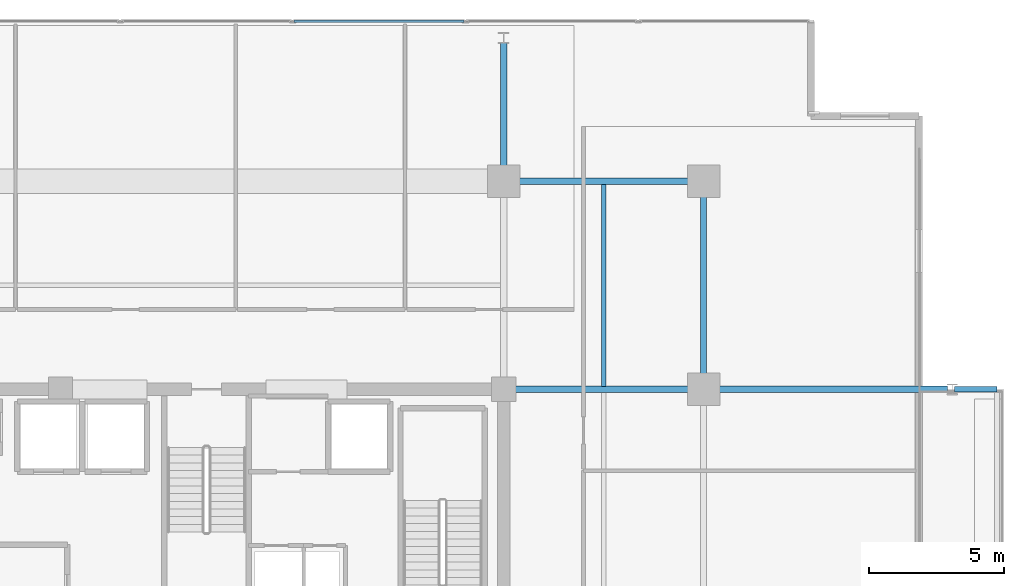
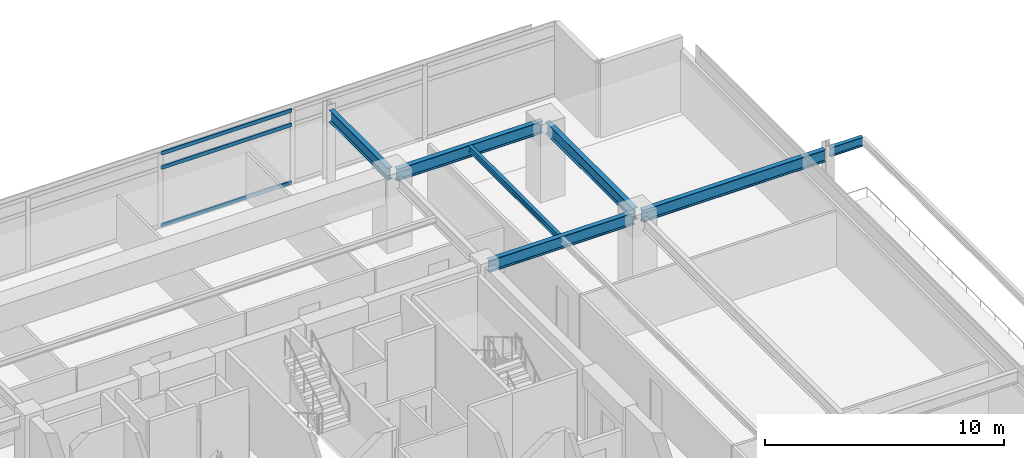
# One storey, part 11 of 24: 7 beams, 3 members, 1 element without a shape of its own.
"""IFC4 building model written with IfcOpenShell, lengths in metres."""

import ifcopenshell
import ifcopenshell.guid

model = None  # the IFC model being written
_history = None  # IfcOwnerHistory: only IFC2X3 demands one
_inside = {}  # id of a spatial element -> (the spatial element, [elements in it])
_under = {}  # id of a project, library or spatial element -> (it, [spatial elements below it])
_declared = {}  # id of a project -> (the project, [libraries it declares])
_typed = {}  # id of a type object -> (the type object, [elements of that type])
_made_of = {}  # id of a material, layer set ... -> (it, [elements and type objects made of it])


def new_model(schema):
    """Start an empty IFC model of exactly this schema.

    Asked for "IFC4X3", IfcOpenShell would pick the latest addendum, in which some entities
    have other attributes; the version numbers below select the first issue.
    IFC2X3 requires an IfcOwnerHistory on every rooted entity: one is made here for all.
    """
    global model, _history
    if schema == "IFC4X3":
        model = ifcopenshell.file(schema_version=(4, 3, 0, 0))
    else:
        model = ifcopenshell.file(schema=schema)
    _inside.clear()
    _under.clear()
    _declared.clear()
    _typed.clear()
    _made_of.clear()
    _history = None
    if model.schema == "IFC2X3":
        org = make("IfcOrganization", Name="unknown")
        user = make(
            "IfcPersonAndOrganization",
            ThePerson=make("IfcPerson", FamilyName="unknown"),
            TheOrganization=org,
        )
        app = make(
            "IfcApplication",
            ApplicationDeveloper=org,
            Version="unknown",
            ApplicationFullName="unknown",
            ApplicationIdentifier="unknown",
        )
        _history = make(
            "IfcOwnerHistory",
            OwningUser=user,
            OwningApplication=app,
            ChangeAction="ADDED",
            CreationDate=0,
        )
    return model


def make(cls, **values):
    """One entity of the class cls with the attributes given. An attribute that is None is left unset."""
    return model.create_entity(
        cls, **{name: value for name, value in values.items() if value is not None}
    )


def rooted(cls, **values):
    """An entity with a GlobalId (a new one), such as an element, a storey or a relation."""
    return make(cls, GlobalId=ifcopenshell.guid.new(), OwnerHistory=_history, **values)


def si_unit(unit_type, name, prefix=None):
    """IfcSIUnit, for example si_unit("LENGTHUNIT", "METRE", prefix="MILLI")."""
    return make("IfcSIUnit", UnitType=unit_type, Prefix=prefix, Name=name)


def assignment(units):
    """IfcUnitAssignment: the units of a project."""
    return None if units is None else make("IfcUnitAssignment", Units=units)


def point(xyz):
    """IfcCartesianPoint."""
    return None if xyz is None else make("IfcCartesianPoint", Coordinates=xyz)


def direction(xyz):
    """IfcDirection."""
    return None if xyz is None else make("IfcDirection", DirectionRatios=xyz)


def frame(location, z_axis=None, x_axis=None):
    """IfcAxis2Placement3D, a coordinate frame: its origin and axes. An axis left out is left unset."""
    return make(
        "IfcAxis2Placement3D",
        Location=point(location),
        Axis=direction(z_axis),
        RefDirection=direction(x_axis),
    )


def frame_2d(location, x_axis=None):
    """IfcAxis2Placement2D, a coordinate frame in the plane: its origin and x axis."""
    return make(
        "IfcAxis2Placement2D", Location=point(location), RefDirection=direction(x_axis)
    )


def origin():
    """The frame at (0, 0, 0) with its axes left unset."""
    return frame((0.0, 0.0, 0.0))


def origin_2d():
    """The frame at (0, 0) in the plane with its x axis left unset."""
    return frame_2d((0.0, 0.0))


def place(relative_to, where):
    """IfcLocalPlacement: puts the frame where relative to a parent placement (None: the world)."""
    return make(
        "IfcLocalPlacement", PlacementRelTo=relative_to, RelativePlacement=where
    )


def context(
    kind, dimensions, precision=None, world=None, true_north=None, identifier=None
):
    """IfcGeometricRepresentationContext, for example the 3D "Model" context."""
    return make(
        "IfcGeometricRepresentationContext",
        ContextIdentifier=identifier,
        ContextType=kind,
        CoordinateSpaceDimension=dimensions,
        Precision=precision,
        WorldCoordinateSystem=world,
        TrueNorth=true_north,
    )


def subcontext(parent, identifier, kind, view, scale=None):
    """IfcGeometricRepresentationSubContext, for example "Body" below "Model"."""
    return make(
        "IfcGeometricRepresentationSubContext",
        ContextIdentifier=identifier,
        ContextType=kind,
        ParentContext=parent,
        TargetScale=scale,
        TargetView=view,
    )


def project(units=None, contexts=None):
    """IfcProject with its units and contexts."""
    return rooted(
        "IfcProject",
        Name="project",
        RepresentationContexts=contexts,
        UnitsInContext=assignment(units),
    )


def spatial(cls, under=None, at=None, **own):
    """A site, building, storey or space (cls), placed at a placement, below another one or the project."""
    s = rooted(cls, ObjectPlacement=at, **own)
    if under is not None:
        _under.setdefault(under.id(), (under, []))[1].append(s)
    return s


def profile(cls, at=None, kind="AREA", **sizes):
    """A parametric profile (cls). Its sizes go by their IFC names, for example OverallWidth=200.0."""
    return make(cls, ProfileType=kind, Position=at, **sizes)


def hollow_rectangle(**sizes):
    """IfcRectangleHollowProfileDef."""
    return profile("IfcRectangleHollowProfileDef", **sizes)


def i_section(**sizes):
    """IfcIShapeProfileDef."""
    return profile("IfcIShapeProfileDef", **sizes)


def extrude(swept, where, along, depth):
    """IfcExtrudedAreaSolid: the profile swept, set in the frame where, extruded along a direction by depth."""
    return make(
        "IfcExtrudedAreaSolid",
        SweptArea=swept,
        Position=where,
        ExtrudedDirection=direction(along),
        Depth=depth,
    )


def shape(context_of_items, identifier, shape_type, items):
    """IfcShapeRepresentation: the items that make up one representation, for example the "Body"."""
    return make(
        "IfcShapeRepresentation",
        ContextOfItems=context_of_items,
        RepresentationIdentifier=identifier,
        RepresentationType=shape_type,
        Items=items,
    )


def material(Name=None, Category=None):
    """IfcMaterial."""
    return make("IfcMaterial", Name=Name, Category=Category)


def material_profile(
    of_material, cross_section, Name=None, Category=None, Priority=None
):
    """IfcMaterialProfile: a cross section and its material."""
    return make(
        "IfcMaterialProfile",
        Name=Name,
        Material=of_material,
        Profile=cross_section,
        Priority=Priority,
        Category=Category,
    )


def profile_set(profiles, Name=None, composite=None):
    """IfcMaterialProfileSet."""
    return make(
        "IfcMaterialProfileSet",
        Name=Name,
        MaterialProfiles=profiles,
        CompositeProfile=composite,
    )


def made_of(thing, what):
    """Note that an element or type object is made of a material, layer set ...; save() writes the relation."""
    if what is not None:
        _made_of.setdefault(what.id(), (what, []))[1].append(thing)
    return thing


def type_object(cls, material=None, **own):
    """A type object (cls), such as IfcWallType, which elements share."""
    return made_of(rooted(cls, **own), material)


def element(
    cls,
    number,
    at=None,
    inside=None,
    cuts=None,
    type_object=None,
    material=None,
    context=None,
    identifier="Body",
    shape_type=None,
    held_by="IfcProductDefinitionShape",
    body=None,
    shapes=None,
    **own,
):
    """One element of the class cls, such as IfcWall. Its Tag is "e" and its number.

    at: its placement. inside: the storey or other place that contains it. cuts: it is an
    opening in that element (IfcRelVoidsElement). A single representation is given by context,
    identifier, shape_type and body (its items); several are given by shapes. held_by: the class
    of the entity that holds the representations. save() writes the other relations.
    """
    e = rooted(cls, Tag="e%d" % number, ObjectPlacement=at, **own)
    if body is not None:
        shapes = [shape(context, identifier, shape_type, body)]
    if shapes is not None:
        e.Representation = make(held_by, Representations=shapes)
    if inside is not None:
        _inside.setdefault(inside.id(), (inside, []))[1].append(e)
    if cuts is not None:
        rooted(
            "IfcRelVoidsElement", RelatingBuildingElement=cuts, RelatedOpeningElement=e
        )
    if type_object is not None:
        _typed.setdefault(type_object.id(), (type_object, []))[1].append(e)
    return made_of(e, material)


def aggregate(whole, parts):
    """IfcRelAggregates: a whole, such as a stair, and the parts it consists of."""
    return rooted("IfcRelAggregates", RelatingObject=whole, RelatedObjects=parts)


def save(model, path):
    """Write the relations noted so far, then the file.

    IfcRelAggregates (storeys below a building ...), IfcRelContainedInSpatialStructure (elements
    in a storey), IfcRelDefinesByType, IfcRelAssociatesMaterial and IfcRelDeclares: one each for
    every whole, place, type object, material and project.
    """
    for whole, parts in _under.values():
        aggregate(whole, parts)
    for where, things in _inside.values():
        rooted(
            "IfcRelContainedInSpatialStructure",
            RelatedElements=things,
            RelatingStructure=where,
        )
    for kind, things in _typed.values():
        rooted("IfcRelDefinesByType", RelatedObjects=things, RelatingType=kind)
    for what, things in _made_of.values():
        rooted("IfcRelAssociatesMaterial", RelatedObjects=things, RelatingMaterial=what)
    for by, libraries in _declared.values():
        rooted("IfcRelDeclares", RelatingContext=by, RelatedDefinitions=libraries)
    model.write(path)


model = new_model("IFC4")

# Units and contexts
model_context = context("Model", 3, precision=1e-05, world=origin(), true_north=direction((0.0, 1.0)))
body_context = subcontext(model_context, "Body", "Model", "MODEL_VIEW")
ifc_project = project(units=[si_unit("LENGTHUNIT", "METRE"), si_unit("AREAUNIT", "SQUARE_METRE"), si_unit("VOLUMEUNIT", "CUBIC_METRE"), si_unit("PLANEANGLEUNIT", "RADIAN"), si_unit("MASSUNIT", "GRAM", prefix="KILO")], contexts=[model_context])

# Site, building, storey
site_placement = place(None, origin())
site = spatial("IfcSite", under=ifc_project, at=site_placement, CompositionType="ELEMENT")
building_placement = place(site_placement, origin())
building = spatial("IfcBuilding", under=site, at=building_placement, Name="Kovane Verandah Tower", CompositionType="ELEMENT")
storey_placement = place(building_placement, frame((0.0, 0.0, 259.199951171875)))
storey = spatial("IfcBuildingStorey", under=building, at=storey_placement, Name="L60", CompositionType="ELEMENT", Elevation=259.199951171875)

# Beams
ifc_material_1 = material(Name="Steel S355", Category="steel")
ifc_material_profile_1 = material_profile(ifc_material_1, i_section(OverallWidth=0.230224609375, OverallDepth=0.6171875, WebThickness=0.01318359375, FlangeThickness=0.022216796875, FilletRadius=0.0126953125, at=origin_2d()), Name="UB610x229x140")
ifc_profile_set_1 = profile_set([ifc_material_profile_1], Name="Steel S355")
beam_type_1 = type_object("IfcBeamType", Name="BM-UB610x140", PredefinedType="BEAM", material=ifc_profile_set_1)
beam_1_placement = place(storey_placement, frame((51.179931640625, 44.199951171875, 3.4765625), z_axis=(1.0, 0.0, 0.0), x_axis=(0.0, 1.0, 0.0)))
element("IfcBeam", 1, at=beam_1_placement, inside=storey, type_object=beam_type_1, Name="L60 Primary Tower Girder G-RN3", PredefinedType="BEAM", context=body_context, shape_type="SweptSolid", body=[
    extrude(i_section(OverallWidth=0.230224609375, OverallDepth=0.6171875, WebThickness=0.01318359375, FlangeThickness=0.022216796875, FilletRadius=0.0126953125, at=origin_2d()), origin(), (0.0, 0.0, 1.0), 7.0400390625),
])
beam_2_placement = place(storey_placement, frame((58.39990234375, 36.679931640625, 3.4765625), z_axis=(0.0, 1.0, 0.0), x_axis=(-1.0, 0.0, 0.0)))
element("IfcBeam", 2, at=beam_2_placement, inside=storey, type_object=beam_type_1, Name="L60 Primary Tower Girder G-RE3", PredefinedType="BEAM", context=body_context, shape_type="SweptSolid", body=[
    extrude(i_section(OverallWidth=0.230224609375, OverallDepth=0.6171875, WebThickness=0.01318359375, FlangeThickness=0.022216796875, FilletRadius=0.0126953125, at=origin_2d()), origin(), (0.0, 0.0, 1.0), 7.340087890625),
])
beam_3_placement = place(storey_placement, frame((51.179931640625, 36.5, 3.4765625), z_axis=(1.0, 0.0, 0.0), x_axis=(0.0, 1.0, 0.0)))
element("IfcBeam", 3, at=beam_3_placement, inside=storey, type_object=beam_type_1, Name="L60 Primary Tower Girder G-E2", PredefinedType="BEAM", context=body_context, shape_type="SweptSolid", body=[
    extrude(i_section(OverallWidth=0.230224609375, OverallDepth=0.6171875, WebThickness=0.01318359375, FlangeThickness=0.022216796875, FilletRadius=0.0126953125, at=origin_2d()), origin(), (0.0, 0.0, 1.0), 7.0400390625),
])
beam_4_placement = place(storey_placement, frame((58.580078125, 36.5, 3.451416015625), z_axis=(1.0, 0.0, 0.0), x_axis=(0.0, 1.0, 0.0)))
element("IfcBeam", 4, at=beam_4_placement, inside=storey, type_object=beam_type_1, Name="L60 Primary Tower Girder G-VE2", PredefinedType="BEAM", context=body_context, shape_type="SweptSolid", body=[
    extrude(i_section(OverallWidth=0.230224609375, OverallDepth=0.6171875, WebThickness=0.01318359375, FlangeThickness=0.022216796875, FilletRadius=0.0126953125, at=origin_2d()), origin(), (0.0, 0.0, 1.0), 8.83984375),
])
beam_5_placement = place(storey_placement, frame((51.0, 44.3798828125, 3.451416015625), z_axis=(0.0, 1.0, 0.0), x_axis=(-1.0, 0.0, 0.0)))
element("IfcBeam", 5, at=beam_5_placement, inside=storey, type_object=beam_type_1, Name="L60 Primary Tower Girder G-VN2", PredefinedType="BEAM", context=body_context, shape_type="SweptSolid", body=[
    extrude(i_section(OverallWidth=0.230224609375, OverallDepth=0.6171875, WebThickness=0.01318359375, FlangeThickness=0.022216796875, FilletRadius=0.0126953125, at=origin_2d()), origin(), (0.0, 0.0, 1.0), 4.940185546875),
])

# Curtain wall, members
ifc_material_2 = material(Name="Champagne Anodised Aluminium Frame with Low-E Clear Laminated Glass", Category="aluminium")
curtain_wall_type = type_object("IfcCurtainWallType", Name="CW-SYS-05-HIGH", PredefinedType="NOTDEFINED", material=ifc_material_2)
curtain_wall_placement = place(storey_placement, origin())
curtain_wall = element("IfcCurtainWall", 6, at=curtain_wall_placement, inside=storey, type_object=curtain_wall_type, Name="L60 N Unitised Curtain Wall", PredefinedType="NOTDEFINED")
ifc_material_3 = material(Name="Champagne Anodised Aluminium 6063-T6", Category="aluminium")
ifc_material_profile_2 = material_profile(ifc_material_3, hollow_rectangle(XDim=0.0849609375, YDim=0.18994140625, WallThickness=0.00390625, at=origin_2d()), Name="AL85x190x4")
ifc_profile_set_2 = profile_set([ifc_material_profile_2], Name="Champagne Anodised Aluminium 6063-T6")
member_type = type_object("IfcMemberType", Name="CW-TRN-85x190", PredefinedType="USERDEFINED", material=ifc_profile_set_2)
member_1_placement = place(storey_placement, frame((49.53564453125, 50.1181640625, 0.050048828125), z_axis=(-1.0, 0.0, 0.0), x_axis=(0.0, -1.0, 0.0)))
member_1 = element("IfcMember", 7, at=member_1_placement, type_object=member_type, Name="L60 N Unitised Curtain Wall Transom TB Bay 3", ObjectType="TRANSOM", PredefinedType="USERDEFINED", context=body_context, shape_type="SweptSolid", body=[
    extrude(hollow_rectangle(XDim=0.0849609375, YDim=0.18994140625, WallThickness=0.00390625, at=origin_2d()), origin(), (0.0, 0.0, 1.0), 6.29052734375),
])
member_2_placement = place(storey_placement, frame((49.53564453125, 50.1181640625, 3.005126953125), z_axis=(-1.0, 0.0, 0.0), x_axis=(0.0, -1.0, 0.0)))
member_2 = element("IfcMember", 8, at=member_2_placement, type_object=member_type, Name="L60 N Unitised Curtain Wall Transom TM Bay 3", ObjectType="TRANSOM", PredefinedType="USERDEFINED", context=body_context, shape_type="SweptSolid", body=[
    extrude(hollow_rectangle(XDim=0.0849609375, YDim=0.18994140625, WallThickness=0.00390625, at=origin_2d()), origin(), (0.0, 0.0, 1.0), 6.29052734375),
])
member_3_placement = place(storey_placement, frame((49.53564453125, 50.1181640625, 3.735107421875), z_axis=(-1.0, 0.0, 0.0), x_axis=(0.0, -1.0, 0.0)))
member_3 = element("IfcMember", 9, at=member_3_placement, type_object=member_type, Name="L60 N Unitised Curtain Wall Transom TT Bay 3", ObjectType="TRANSOM", PredefinedType="USERDEFINED", context=body_context, shape_type="SweptSolid", body=[
    extrude(hollow_rectangle(XDim=0.0849609375, YDim=0.18994140625, WallThickness=0.00390625, at=origin_2d()), origin(), (0.0, 0.0, 1.0), 6.29052734375),
])
aggregate(curtain_wall, [member_1, member_2, member_3])

# Beams
ifc_material_profile_3 = material_profile(ifc_material_1, i_section(OverallWidth=0.1669921875, OverallDepth=0.310302734375, WebThickness=0.0078125, FlangeThickness=0.013671875, FilletRadius=0.0087890625, at=origin_2d()), Name="UB305x165x54")
ifc_profile_set_3 = profile_set([ifc_material_profile_3], Name="Steel S355")
beam_type_2 = type_object("IfcBeamType", Name="JST-UB305x54", PredefinedType="JOIST", material=ifc_profile_set_3)
beam_6_placement = place(storey_placement, frame((54.699951171875, 36.613037109375, 3.6298828125), z_axis=(0.0, 1.0, 0.0), x_axis=(-1.0, 0.0, 0.0)))
element("IfcBeam", 10, at=beam_6_placement, inside=storey, type_object=beam_type_2, Name="L60 Secondary Composite Joist J-NE1", PredefinedType="JOIST", context=body_context, shape_type="SweptSolid", body=[
    extrude(i_section(OverallWidth=0.1669921875, OverallDepth=0.310302734375, WebThickness=0.0078125, FlangeThickness=0.013671875, FilletRadius=0.0087890625, at=origin_2d()), origin(), (0.0, 0.0, 1.0), 7.473876953125),
])
ifc_material_profile_4 = material_profile(ifc_material_1, i_section(OverallWidth=0.19287109375, OverallDepth=0.46728515625, WebThickness=0.011474609375, FlangeThickness=0.01953125, FilletRadius=0.01025390625, at=origin_2d()), Name="UB457x191x98")
ifc_profile_set_4 = profile_set([ifc_material_profile_4], Name="Steel S355")
beam_type_3 = type_object("IfcBeamType", Name="JST-UB457x98", PredefinedType="JOIST", material=ifc_profile_set_4)
beam_7_placement = place(storey_placement, frame((67.679931640625, 36.5, 3.5263671875), z_axis=(1.0, 0.0, 0.0), x_axis=(0.0, 1.0, 0.0)))
element("IfcBeam", 11, at=beam_7_placement, inside=storey, type_object=beam_type_3, Name="L60 East Planter Girder 2", PredefinedType="JOIST", context=body_context, shape_type="SweptSolid", body=[
    extrude(i_section(OverallWidth=0.19287109375, OverallDepth=0.46728515625, WebThickness=0.011474609375, FlangeThickness=0.01953125, FilletRadius=0.01025390625, at=origin_2d()), origin(), (0.0, 0.0, 1.0), 1.57763671875),
])

save(model, "model.ifc")
